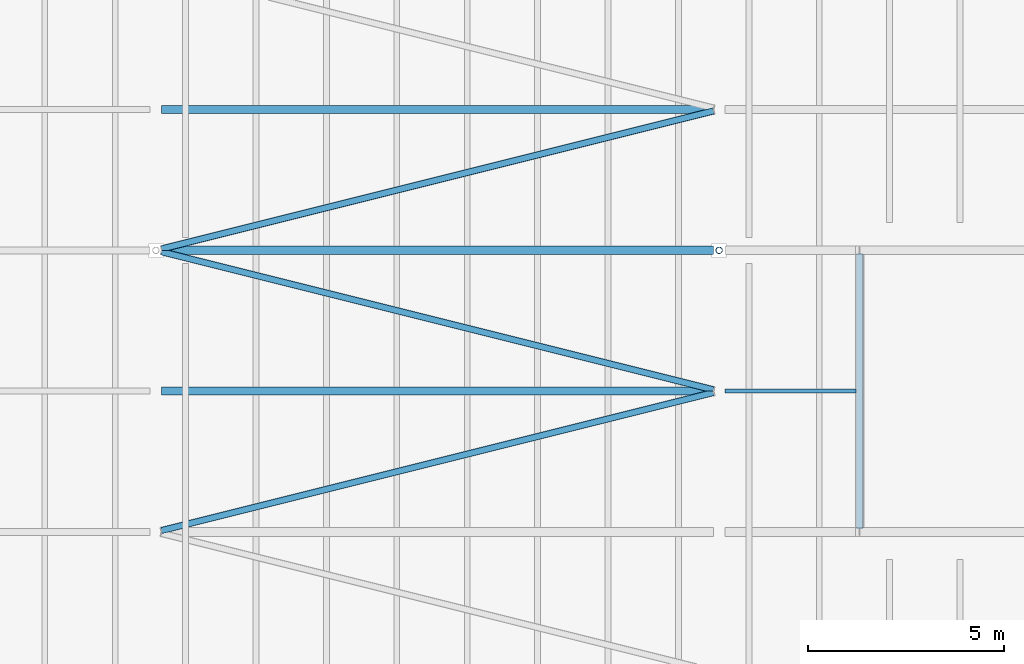
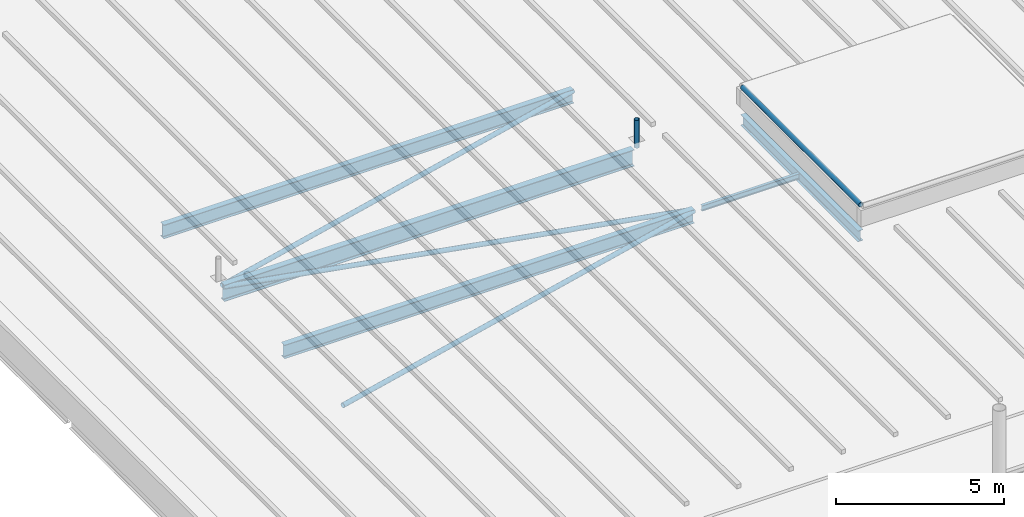
# One storey, part 14 of 120: 5 beams, 5 members.
"""IFC4 building model written with IfcOpenShell, lengths in metres."""

from ifc_helpers import new_model, si_unit, direction, frame, origin, origin_2d, place, context, subcontext, project, spatial, hollow_circle, i_section, extrude, material, material_profile, profile_set, type_object, element, save


model = new_model("IFC4")

# Units and contexts
model_context = context("Model", 3, precision=1e-05, world=origin(), true_north=direction((0.0, 1.0)))
body_context = subcontext(model_context, "Body", "Model", "MODEL_VIEW")
ifc_project = project(units=[si_unit("LENGTHUNIT", "METRE"), si_unit("AREAUNIT", "SQUARE_METRE"), si_unit("VOLUMEUNIT", "CUBIC_METRE"), si_unit("PLANEANGLEUNIT", "RADIAN"), si_unit("MASSUNIT", "GRAM", prefix="KILO")], contexts=[model_context])

# Site, building, storey
site_placement = place(None, origin())
site = spatial("IfcSite", under=ifc_project, at=site_placement, CompositionType="ELEMENT")
building_placement = place(site_placement, origin())
building = spatial("IfcBuilding", under=site, at=building_placement, Name="Kupolbacken Congress Centre", CompositionType="ELEMENT")
storey_placement = place(building_placement, frame((0.0, 0.0, 21.60009765625)))
storey = spatial("IfcBuildingStorey", under=building, at=storey_placement, Name="L06", CompositionType="ELEMENT", Elevation=21.60009765625)

# Beams
ifc_material_1 = material(Name="Steel S355", Category="steel")
ifc_material_profile_1 = material_profile(ifc_material_1, i_section(OverallWidth=0.10009765625, OverallDepth=0.199951171875, WebThickness=0.005615234375, FlangeThickness=0.008544921875, FilletRadius=0.011962890625, at=origin_2d()), Name="IPE 200")
ifc_profile_set_1 = profile_set([ifc_material_profile_1], Name="Steel S355")
beam_type_1 = type_object("IfcBeamType", Name="B01 beam IPE 200", PredefinedType="BEAM", material=ifc_profile_set_1)
beam_1_placement = place(storey_placement, frame((108.14501953125, 57.60009765625, -0.10009765625), z_axis=(1.0, 0.0, 0.0), x_axis=(0.0, 1.0, 0.0)))
element("IfcBeam", 1, at=beam_1_placement, inside=storey, type_object=beam_type_1, Name="HR/P04-02-0", PredefinedType="BEAM", context=body_context, shape_type="SweptSolid", body=[
    extrude(i_section(OverallWidth=0.10009765625, OverallDepth=0.199951171875, WebThickness=0.005615234375, FlangeThickness=0.008544921875, FilletRadius=0.011962890625, at=origin_2d()), origin(), (0.0, 0.0, 1.0), 3.35498046875),
])
ifc_material_2 = material(Name="Steel S355", Category="steel")
ifc_material_profile_2 = material_profile(ifc_material_2, i_section(OverallWidth=0.179931640625, OverallDepth=0.39990234375, WebThickness=0.008544921875, FlangeThickness=0.013427734375, FilletRadius=0.02099609375, at=origin_2d()), Name="IPE 400")
ifc_profile_set_2 = profile_set([ifc_material_profile_2], Name="Steel S355")
beam_type_2 = type_object("IfcBeamType", Name="B07 beam IPE 400", PredefinedType="BEAM", material=ifc_profile_set_2)
beam_2_placement = place(storey_placement, frame((111.60009765625, 54.10009765625, -0.2001953125), z_axis=(0.0, 1.0, 0.0), x_axis=(-1.0, 0.0, 0.0)))
element("IfcBeam", 2, at=beam_2_placement, inside=storey, type_object=beam_type_2, Name="HR/CT1W", PredefinedType="BEAM", context=body_context, shape_type="SweptSolid", body=[
    extrude(i_section(OverallWidth=0.179931640625, OverallDepth=0.39990234375, WebThickness=0.008544921875, FlangeThickness=0.013427734375, FilletRadius=0.02099609375, at=origin_2d()), origin(), (0.0, 0.0, 1.0), 7.0),
])
ifc_material_3 = material(Name="Steel S355", Category="steel")
ifc_material_profile_3 = material_profile(ifc_material_3, i_section(OverallWidth=0.199951171875, OverallDepth=0.5, WebThickness=0.01025390625, FlangeThickness=0.01611328125, FilletRadius=0.02099609375, at=origin_2d()), Name="IPE 500")
ifc_profile_set_3 = profile_set([ifc_material_profile_3], Name="Steel S355")
beam_type_3 = type_object("IfcBeamType", Name="B09 beam IPE 500", PredefinedType="BEAM", material=ifc_profile_set_3)
for number, where, z_axis, x_axis, name in (
    (3, (93.7451171875, 57.60009765625, -0.25), (1.0, 0.0, 0.0), (0.0, 1.0, 0.0), "HR/P04-01"),
    (4, (93.7451171875, 64.800048828125, -0.25), (1.0, 0.0, 0.0), (0.0, 1.0, 0.0), "HR/P06-01"),
):
    element("IfcBeam", number, at=place(storey_placement, frame(where, z_axis=z_axis, x_axis=x_axis)), inside=storey, type_object=beam_type_3, Name=name, PredefinedType="BEAM", context=body_context, shape_type="SweptSolid", body=[
        extrude(i_section(OverallWidth=0.199951171875, OverallDepth=0.5, WebThickness=0.01025390625, FlangeThickness=0.01611328125, FilletRadius=0.02099609375, at=origin_2d()), origin(), (0.0, 0.0, 1.0), 14.10986328125),
    ])
ifc_material_4 = material(Name="Steel S355", Category="steel")
ifc_material_profile_4 = material_profile(ifc_material_4, i_section(OverallWidth=0.219970703125, OverallDepth=0.60009765625, WebThickness=0.011962890625, FlangeThickness=0.01904296875, FilletRadius=0.02392578125, at=origin_2d()), Name="IPE 600")
ifc_profile_set_4 = profile_set([ifc_material_profile_4], Name="Steel S355")
beam_type_4 = type_object("IfcBeamType", Name="B11 beam IPE 600", PredefinedType="BEAM", material=ifc_profile_set_4)
beam_3_placement = place(storey_placement, frame((93.7451171875, 61.199951171875, -0.300048828125), z_axis=(1.0, 0.0, 0.0), x_axis=(0.0, 1.0, 0.0)))
element("IfcBeam", 5, at=beam_3_placement, inside=storey, type_object=beam_type_4, Name="HR/X05-01", PredefinedType="BEAM", context=body_context, shape_type="SweptSolid", body=[
    extrude(i_section(OverallWidth=0.219970703125, OverallDepth=0.60009765625, WebThickness=0.011962890625, FlangeThickness=0.01904296875, FilletRadius=0.02392578125, at=origin_2d()), origin(), (0.0, 0.0, 1.0), 14.10986328125),
])

# Members
ifc_material_5 = material(Name="Steel S355", Category="steel")
ifc_material_profile_5 = material_profile(ifc_material_5, hollow_circle(Radius=0.084228515625, WallThickness=0.008056640625, at=origin_2d()), Name="CHS 168.3 x 8")
ifc_profile_set_5 = profile_set([ifc_material_profile_5], Name="Steel S355")
member_type_1 = type_object("IfcMemberType", Name="M20 transfer truss post CHS 168.3 x 8", PredefinedType="STRUT", material=ifc_profile_set_5)
member_1_placement = place(storey_placement, frame((108.0, 61.199951171875, -0.010009765625), z_axis=(0.0, 0.0, 1.0), x_axis=(1.0, 0.0, 0.0)))
element("IfcMember", 6, at=member_1_placement, inside=storey, type_object=member_type_1, Name="Roof stay anchor post M2S.1", PredefinedType="STRUT", context=body_context, shape_type="SweptSolid", body=[
    extrude(hollow_circle(Radius=0.084228515625, WallThickness=0.008056640625, at=origin_2d()), origin(), (0.0, 0.0, 1.0), 1.010009765625),
])
ifc_material_6 = material(Name="Steel S355", Category="steel")
ifc_material_profile_6 = material_profile(ifc_material_6, hollow_circle(Radius=0.084228515625, WallThickness=0.008056640625, at=origin_2d()), Name="CHS 168.3 x 8")
ifc_profile_set_6 = profile_set([ifc_material_profile_6], Name="Steel S355")
member_type_2 = type_object("IfcMemberType", Name="M21 brace CHS 168.3 x 8", PredefinedType="BRACE", material=ifc_profile_set_6)
for number, where, z_axis, x_axis, name in (
    (7, (93.74072265625, 54.03515625, -0.084228515625), (0.970140526498, 0.24254351949, 0.0), (-0.24254351949, 0.970140526498, 0.0), "HR/RB/01-03"),
    (8, (107.859375, 57.63525390625, -0.084228515625), (-0.970144473737, 0.242527730535, 0.0), (-0.242527730535, -0.970144473737, 0.0), "HR/RB/01-04"),
    (9, (93.74072265625, 61.235107421875, -0.084228515625), (0.970140526498, 0.24254351949, 0.0), (-0.24254351949, 0.970140526498, 0.0), "HR/RB/01-05"),
):
    element("IfcMember", number, at=place(storey_placement, frame(where, z_axis=z_axis, x_axis=x_axis)), inside=storey, type_object=member_type_2, Name=name, PredefinedType="BRACE", context=body_context, shape_type="SweptSolid", body=[
        extrude(hollow_circle(Radius=0.084228515625, WallThickness=0.008056640625, at=origin_2d()), origin(), (0.0, 0.0, 1.0), 14.55322265625),
    ])
member_2_placement = place(storey_placement, frame((111.60009765625, 54.07421875, 0.944091796875), z_axis=(0.0, 1.0, 0.0), x_axis=(-1.0, 0.0, 0.0)))
element("IfcMember", 10, at=member_2_placement, inside=storey, type_object=member_type_2, Name="RD/RL1/FW", PredefinedType="BRACE", context=body_context, shape_type="SweptSolid", body=[
    extrude(hollow_circle(Radius=0.084228515625, WallThickness=0.008056640625, at=origin_2d()), origin(), (0.0, 0.0, 1.0), 7.051513671875),
])

save(model, "model.ifc")
